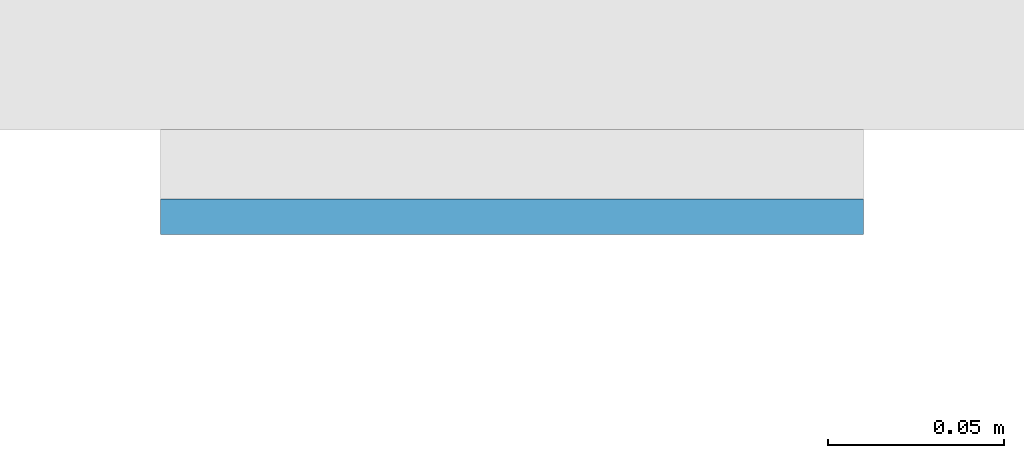
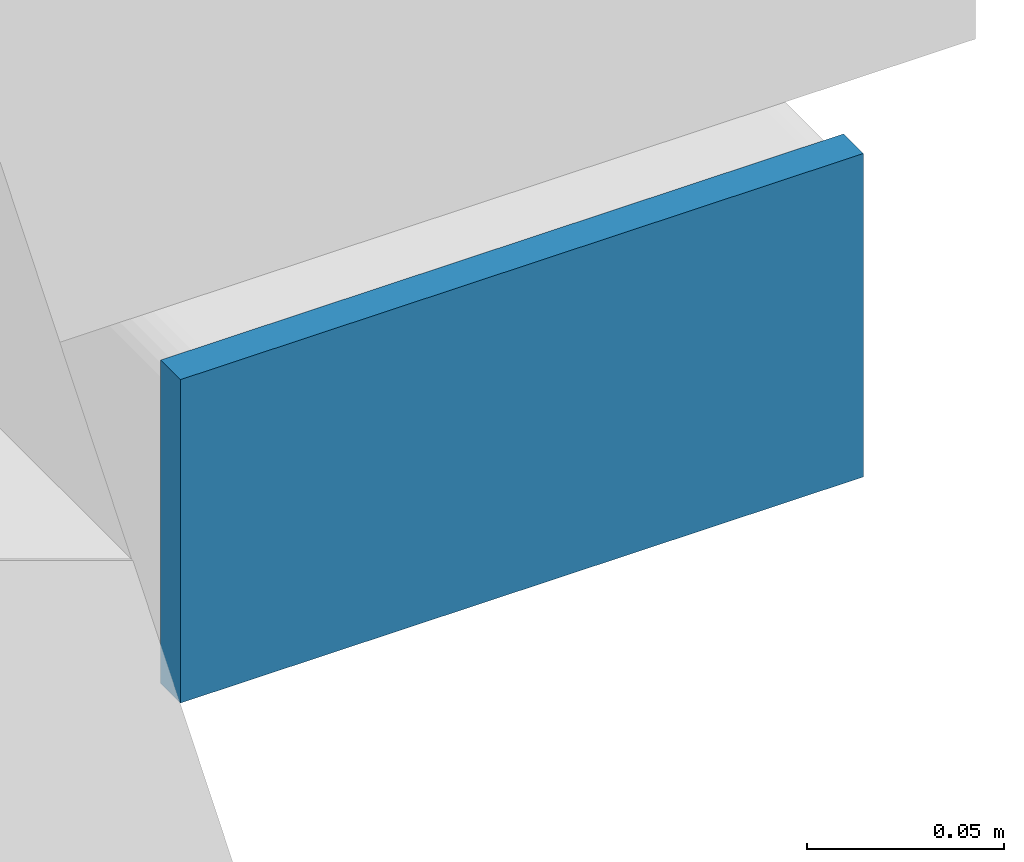
# One storey, part 10 of 20: 1 plate.
"""IFC4 building model written with IfcOpenShell, lengths in metres."""

from ifc_helpers import new_model, si_unit, direction, frame, origin, origin_2d, place, context, subcontext, project, spatial, rectangle, extrude, material, layer, layer_set, type_object, element, save


model = new_model("IFC4")

# Units and contexts
model_context = context("Model", 3, precision=1e-05, world=origin(), true_north=direction((0.0, 1.0)))
body_context = subcontext(model_context, "Body", "Model", "MODEL_VIEW")
ifc_project = project(units=[si_unit("LENGTHUNIT", "METRE"), si_unit("AREAUNIT", "SQUARE_METRE"), si_unit("VOLUMEUNIT", "CUBIC_METRE"), si_unit("PLANEANGLEUNIT", "RADIAN"), si_unit("MASSUNIT", "GRAM", prefix="KILO")], contexts=[model_context])

# Site, building, storey
site_placement = place(None, origin())
site = spatial("IfcSite", under=ifc_project, at=site_placement, CompositionType="ELEMENT")
building_placement = place(site_placement, origin())
building = spatial("IfcBuilding", under=site, at=building_placement, Name="Cleftline Residences", CompositionType="ELEMENT")
storey_placement = place(building_placement, frame((0.0, 0.0, 189.39990234375)))
storey = spatial("IfcBuildingStorey", under=building, at=storey_placement, Name="L49", CompositionType="ELEMENT", Elevation=189.39990234375)

# Plate
ifc_material = material(Name="Steel S355, hot-dip galvanised", Category="steel")
ifc_layer = layer(ifc_material, 0.010009765625)
ifc_layer_set = layer_set([ifc_layer], Name="BAGUETTE CARRIER END PLATE 200X100X10")
plate_type = type_object("IfcPlateType", Name="BAGUETTE CARRIER END PLATE 200X100X10", PredefinedType="USERDEFINED", material=ifc_layer_set)
plate_placement = place(storey_placement, frame((66.85009765625, 3.695068359375, -0.099853515625), z_axis=(0.0, 0.0, 1.0), x_axis=(1.0, 0.0, 0.0)))
element("IfcPlate", 1, at=plate_placement, inside=storey, type_object=plate_type, Name="Baguette carrier end plate", ObjectType="BAGUETTE CARRIER END PLATE", PredefinedType="USERDEFINED", context=body_context, shape_type="SweptSolid", body=[
    extrude(rectangle(XDim=0.199951171875, YDim=0.010009765625, at=origin_2d()), origin(), (0.0, 0.0, 1.0), 0.10009765625),
])

save(model, "model.ifc")
